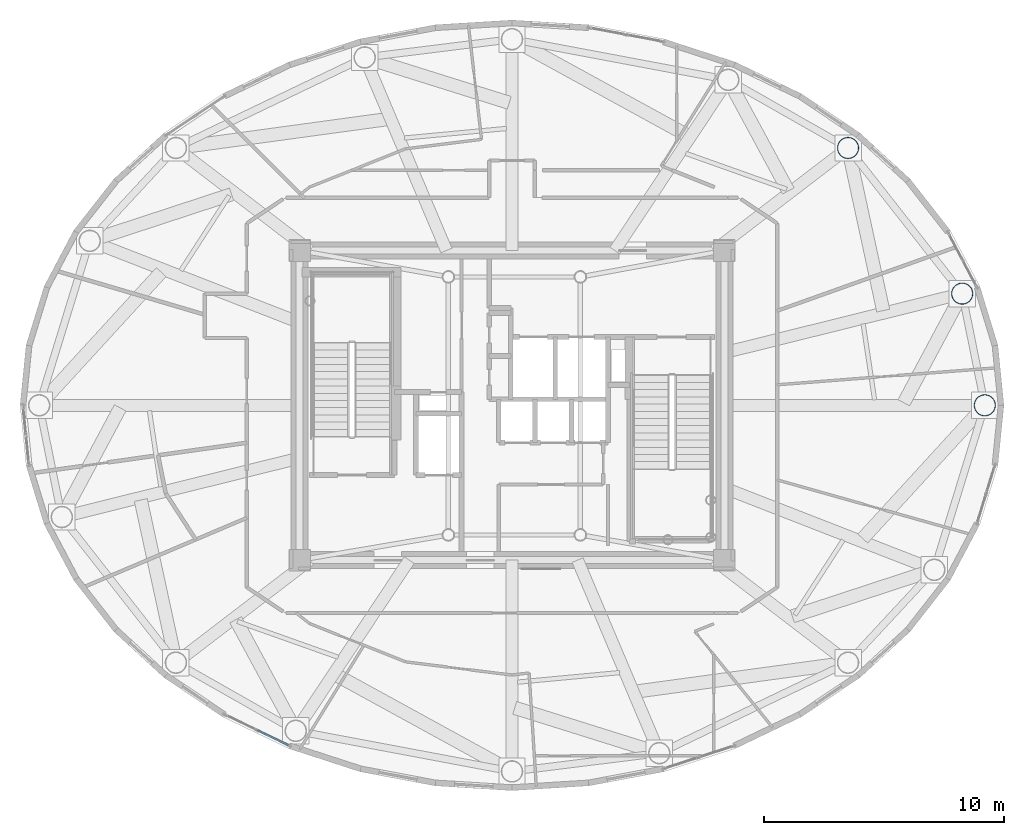
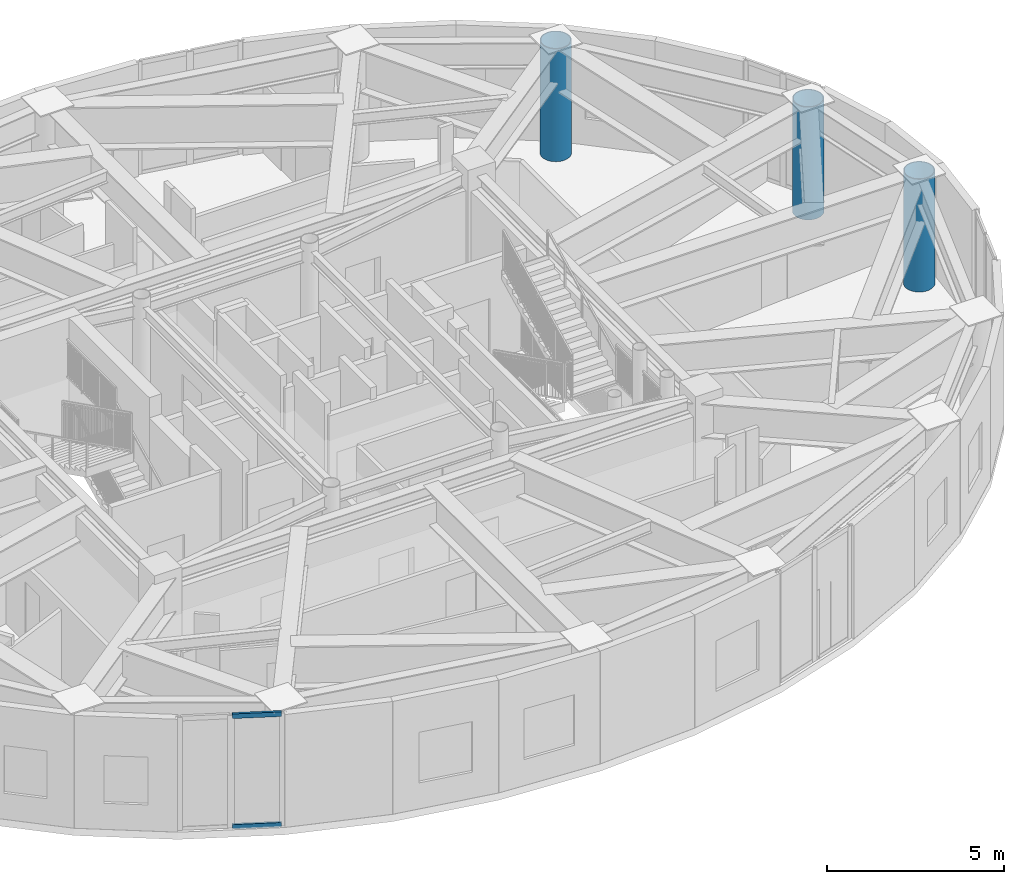
# One storey, part 2 of 23: 3 columns, 2 members, 1 element without a shape of its own.
"""IFC4 building model written with IfcOpenShell, lengths in metres."""

from ifc_helpers import new_model, si_unit, direction, frame, origin, origin_2d, place, context, subcontext, project, spatial, hollow_rectangle, hollow_circle, extrude, source, transform, mapped, material, layer, layer_set, material_profile, profile_set, type_object, element, aggregate, save


model = new_model("IFC4")

# Units and contexts
model_context = context("Model", 3, precision=1e-05, world=origin(), true_north=direction((0.0, 1.0)))
body_context = subcontext(model_context, "Body", "Model", "MODEL_VIEW")
ifc_project = project(units=[si_unit("LENGTHUNIT", "METRE"), si_unit("AREAUNIT", "SQUARE_METRE"), si_unit("VOLUMEUNIT", "CUBIC_METRE"), si_unit("PLANEANGLEUNIT", "RADIAN"), si_unit("MASSUNIT", "GRAM", prefix="KILO")], contexts=[model_context])

# Site, building, storey
site_placement = place(None, origin())
site = spatial("IfcSite", under=ifc_project, at=site_placement, CompositionType="ELEMENT")
building_placement = place(site_placement, origin())
building = spatial("IfcBuilding", under=site, at=building_placement, Name="Linh Dai School and Residence Tower", CompositionType="ELEMENT")
storey_placement = place(building_placement, frame((0.0, 0.0, 359.39990234375)))
storey = spatial("IfcBuildingStorey", under=building, at=storey_placement, Name="L89", CompositionType="ELEMENT", Elevation=359.39990234375)

# Columns
ifc_material_1 = material(Name="Structural Steel S355JR", Category="steel")
ifc_material_profile_1 = material_profile(ifc_material_1, hollow_circle(Radius=0.449951171875, WallThickness=0.028076171875, at=origin_2d()), Name="CHS 900x28")
ifc_profile_set_1 = profile_set([ifc_material_profile_1], Name="Structural Steel S355JR")
column_type = type_object("IfcColumnType", Name="COL-MC7", PredefinedType="COLUMN", material=ifc_profile_set_1)
for number, where, z_axis, x_axis, name in (
    (1, (55.699951171875, 27.0, 0.0), (0.0, 0.0, 1.0), (1.0, 0.0, 0.0), "L89 Perimeter CFT Mega-Column MC01"),
    (2, (54.7578125, 31.65478515625, 0.0), (0.0, 0.0, 1.0), (1.0, 0.0, 0.0), "L89 Perimeter CFT Mega-Column MC02"),
    (3, (50.00244140625, 37.72265625, 0.0), (0.0, 0.0, 1.0), (1.0, 0.0, 0.0), "L89 Perimeter CFT Mega-Column MC03"),
):
    element("IfcColumn", number, at=place(storey_placement, frame(where, z_axis=z_axis, x_axis=x_axis)), inside=storey, type_object=column_type, Name=name, PredefinedType="COLUMN", context=body_context, shape_type="SweptSolid", body=[
        extrude(hollow_circle(Radius=0.449951171875, WallThickness=0.028076171875, at=origin_2d()), origin(), (0.0, 0.0, 1.0), 3.900146484375),
    ])

# Curtain wall, members
ifc_material_2 = material(Name="Aluminium Anodised Curtain Wall", Category="aluminium")
ifc_layer = layer(ifc_material_2, 0.199951171875)
ifc_layer_set = layer_set([ifc_layer], Name="Aluminium Anodised Curtain Wall")
curtain_wall_type = type_object("IfcCurtainWallType", Name="CW-SYS-6", PredefinedType="USERDEFINED", material=ifc_layer_set)
curtain_wall_placement = place(storey_placement, origin())
curtain_wall = element("IfcCurtainWall", 4, at=curtain_wall_placement, inside=storey, type_object=curtain_wall_type, Name="L89 CW6 Curtain Wall 27", ObjectType="UNITISED CURTAIN WALL", PredefinedType="USERDEFINED")
ifc_material_3 = material(Name="Aluminium Alloy 6063-T6", Category="aluminium")
ifc_material_profile_2 = material_profile(ifc_material_3, hollow_rectangle(XDim=0.074951171875, YDim=0.159912109375, WallThickness=0.00390625, at=origin_2d()), Name="RHS 160x75x4")
ifc_profile_set_2 = profile_set([ifc_material_profile_2], Name="Aluminium Alloy 6063-T6")
member_type = type_object("IfcMemberType", Name="CW-SYS-6-TRN", PredefinedType="USERDEFINED", material=ifc_profile_set_2)
shared_shape = source(origin(), body_context, "Body", "SweptSolid", [
    extrude(hollow_rectangle(XDim=0.074951171875, YDim=0.159912109375, WallThickness=0.00390625, at=origin_2d()), origin(), (0.0, 0.0, 1.0), 1.39990234375),
])
member_1_placement = place(storey_placement, frame((26.671875, 12.843505859375, 0.03759765625), z_axis=(-0.901563871495, 0.432646028081, 0.0), x_axis=(-0.432646028081, -0.901563871495, 0.0)))
member_1 = element("IfcMember", 5, at=member_1_placement, type_object=member_type, Name="CW6 transom 1.1", ObjectType="TRANSOM", PredefinedType="USERDEFINED", context=body_context, shape_type="MappedRepresentation", body=[
    mapped(shared_shape, transform((0.0, 0.0, 0.0), x_axis=(1.0, 0.0, 0.0), y_axis=(0.0, 1.0, 0.0), z_axis=(0.0, 0.0, 1.0), scale=1.0)),
])
member_2_placement = place(storey_placement, frame((26.671875, 12.843505859375, 3.862548828125), z_axis=(-0.901563871495, 0.432646028081, 0.0), x_axis=(-0.432646028081, -0.901563871495, 0.0)))
member_2 = element("IfcMember", 6, at=member_2_placement, type_object=member_type, Name="CW6 transom 1.2", ObjectType="TRANSOM", PredefinedType="USERDEFINED", context=body_context, shape_type="MappedRepresentation", body=[
    mapped(shared_shape, transform((0.0, 0.0, 0.0), x_axis=(1.0, 0.0, 0.0), y_axis=(0.0, 1.0, 0.0), z_axis=(0.0, 0.0, 1.0), scale=1.0)),
])
aggregate(curtain_wall, [member_1, member_2])

save(model, "model.ifc")
